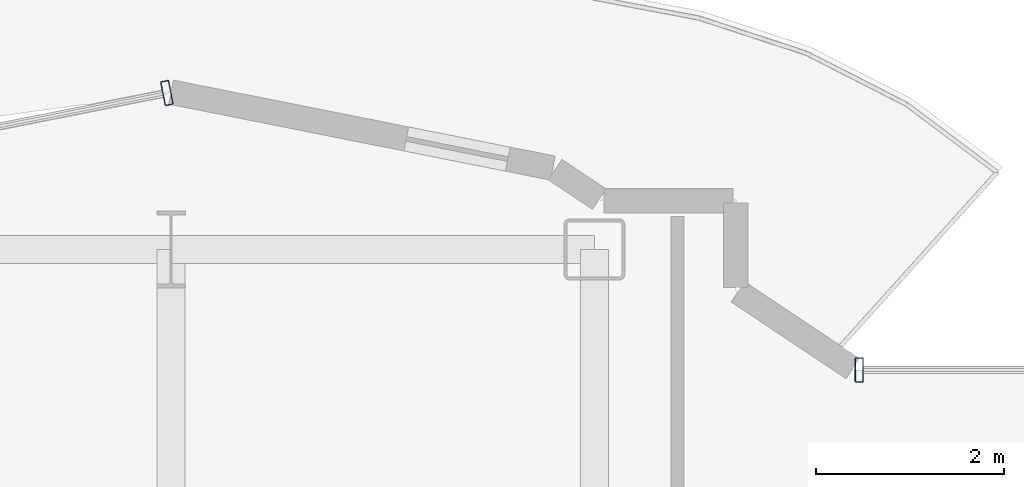
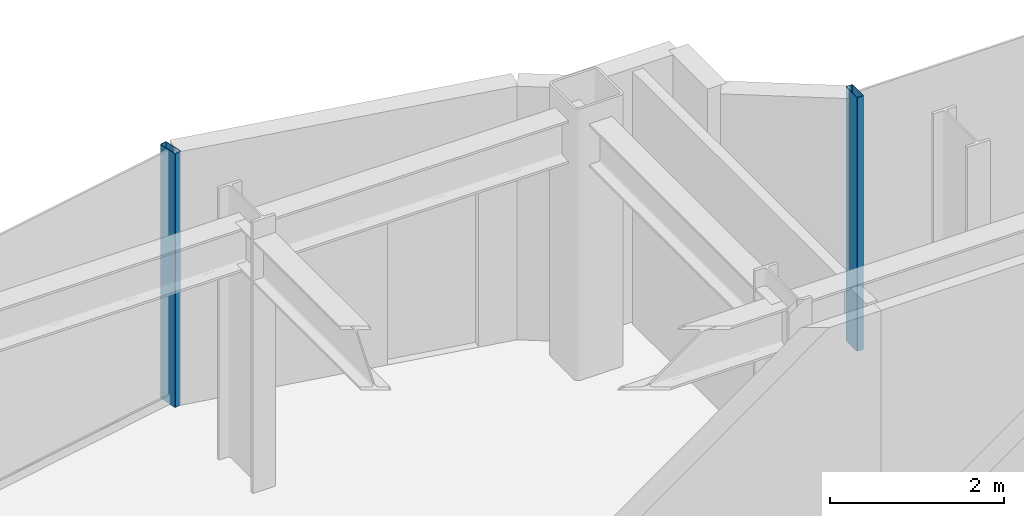
# One storey, part 10 of 20: 2 members, 2 elements without a shape of their own.
"""IFC4 building model written with IfcOpenShell, lengths in metres."""

from ifc_helpers import new_model, si_unit, direction, frame, origin, origin_2d, place, context, subcontext, project, spatial, hollow_rectangle, extrude, source, transform, mapped, material, layer, layer_set, material_profile, profile_set, type_object, element, aggregate, save


model = new_model("IFC4")

# Units and contexts
model_context = context("Model", 3, precision=1e-05, world=origin(), true_north=direction((0.0, 1.0)))
body_context = subcontext(model_context, "Body", "Model", "MODEL_VIEW")
ifc_project = project(units=[si_unit("LENGTHUNIT", "METRE"), si_unit("AREAUNIT", "SQUARE_METRE"), si_unit("VOLUMEUNIT", "CUBIC_METRE"), si_unit("PLANEANGLEUNIT", "RADIAN"), si_unit("MASSUNIT", "GRAM", prefix="KILO")], contexts=[model_context])

# Site, building, storey
site_placement = place(None, origin())
site = spatial("IfcSite", under=ifc_project, at=site_placement, CompositionType="ELEMENT")
building_placement = place(site_placement, origin())
building = spatial("IfcBuilding", under=site, at=building_placement, Name="Nefas-Gora Pilgrimage Tower", CompositionType="ELEMENT")
storey_placement = place(building_placement, frame((0.0, 0.0, 225.60009765625)))
storey = spatial("IfcBuildingStorey", under=building, at=storey_placement, Name="L56", CompositionType="ELEMENT", Elevation=225.60009765625)

# Curtain wall, member
ifc_material_1 = material(Name="Dark ceramic-fritted solar-control aluminium-glass curtain wall", Category="aluminium")
ifc_layer = layer(ifc_material_1, 0.219970703125)
ifc_layer_set = layer_set([ifc_layer], Name="Dark ceramic-fritted solar-control aluminium-glass curtain wall")
curtain_wall_type = type_object("IfcCurtainWallType", Name="CW-SYS-5", PredefinedType="NOTDEFINED", material=ifc_layer_set)
curtain_wall_1_placement = place(storey_placement, origin())
curtain_wall_1 = element("IfcCurtainWall", 1, at=curtain_wall_1_placement, inside=storey, type_object=curtain_wall_type, Name="L56 Unitised Curtain Wall CW5", PredefinedType="NOTDEFINED")
ifc_material_2 = material(Name="Anodised architectural aluminium", Category="aluminium")
ifc_material_profile = material_profile(ifc_material_2, hollow_rectangle(XDim=0.090087890625, YDim=0.260009765625, WallThickness=0.006103515625, InnerFilletRadius=0.006103515625, OuterFilletRadius=0.011962890625, at=origin_2d()), Name="ALU MULLION 90x260")
ifc_profile_set = profile_set([ifc_material_profile], Name="Anodised architectural aluminium")
member_type = type_object("IfcMemberType", Name="CWM-MUL-5", PredefinedType="MULLION", material=ifc_profile_set)
shared_shape = source(origin(), body_context, "Body", "SweptSolid", [
    extrude(hollow_rectangle(XDim=0.090087890625, YDim=0.260009765625, WallThickness=0.006103515625, InnerFilletRadius=0.006103515625, OuterFilletRadius=0.011962890625, at=origin_2d()), origin(), (0.0, 0.0, 1.0), 3.5498046875),
])
member_1_placement = place(storey_placement, frame((5.06298828125, 21.219970703125, 0.0), z_axis=(0.0, 0.0, 1.0), x_axis=(-1.0, 0.0, 0.0)))
member_1 = element("IfcMember", 2, at=member_1_placement, type_object=member_type, Name="CW5 Mullion 2", PredefinedType="MULLION", context=body_context, shape_type="MappedRepresentation", body=[
    mapped(shared_shape, transform((0.0, 0.0, 0.0), x_axis=(1.0, 0.0, 0.0), y_axis=(0.0, 1.0, 0.0), z_axis=(0.0, 0.0, 1.0), scale=1.0)),
])
aggregate(curtain_wall_1, [member_1])

curtain_wall_2_placement = place(storey_placement, origin())
curtain_wall_2 = element("IfcCurtainWall", 3, at=curtain_wall_2_placement, inside=storey, type_object=curtain_wall_type, Name="L56 Unitised Curtain Wall CW5", PredefinedType="NOTDEFINED")
member_2_placement = place(storey_placement, frame((-2.294189453125, 24.16357421875, 0.0), z_axis=(0.0, 0.0, 1.0), x_axis=(-0.980782896852, -0.195102304554, 0.0)))
member_2 = element("IfcMember", 4, at=member_2_placement, type_object=member_type, Name="CW5 Mullion 1", PredefinedType="MULLION", context=body_context, shape_type="MappedRepresentation", body=[
    mapped(shared_shape, transform((0.0, 0.0, 0.0), x_axis=(1.0, 0.0, 0.0), y_axis=(0.0, 1.0, 0.0), z_axis=(0.0, 0.0, 1.0), scale=1.0)),
])
aggregate(curtain_wall_2, [member_2])

save(model, "model.ifc")
